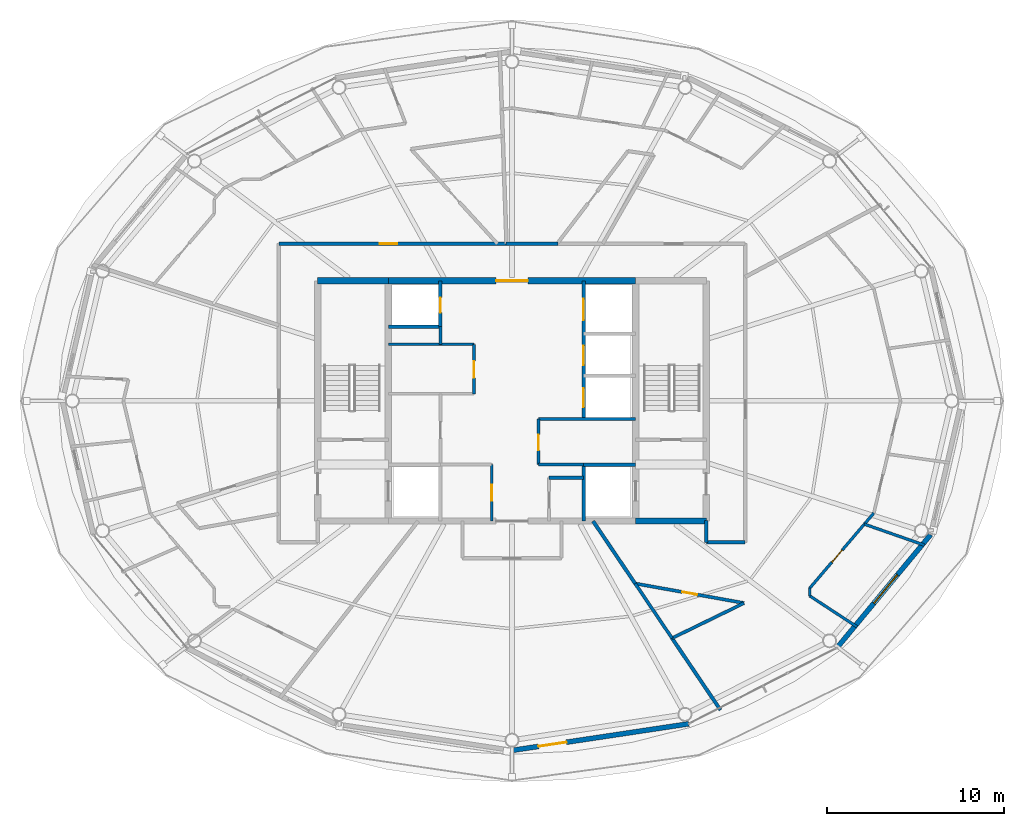
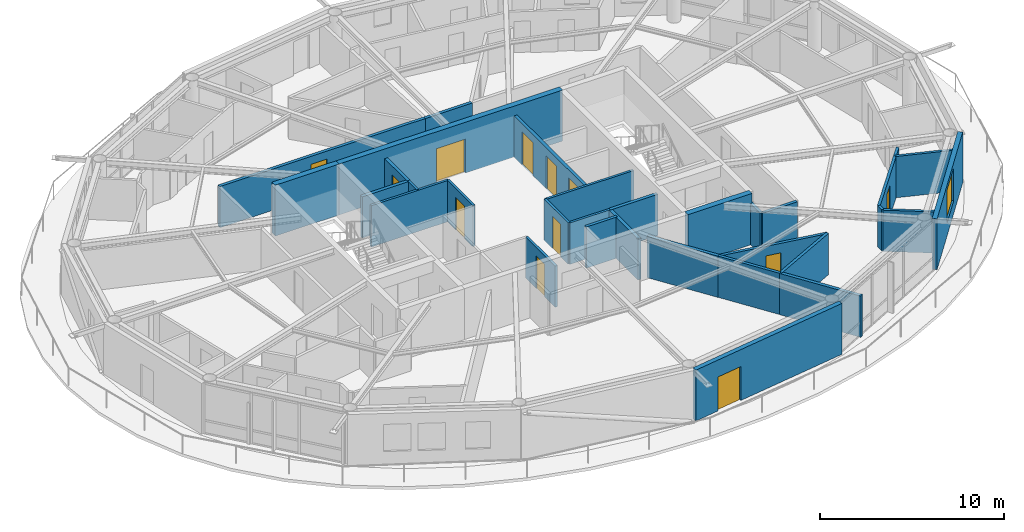
# One storey, part 17 of 22: 31 walls, 12 doors, 1 window, 13 openings.
"""IFC4 building model written with IfcOpenShell, lengths in metres."""

from ifc_helpers import new_model, si_unit, direction, frame, frame_2d, origin, place, context, subcontext, project, spatial, rectangle, extrude, material, layer, layer_set, type_object, element, fill, save


model = new_model("IFC4")

# Units and contexts
model_context = context("Model", 3, precision=1e-05, world=origin(), true_north=direction((0.0, 1.0)))
body_context = subcontext(model_context, "Body", "Model", "MODEL_VIEW")
ifc_project = project(units=[si_unit("LENGTHUNIT", "METRE"), si_unit("AREAUNIT", "SQUARE_METRE"), si_unit("VOLUMEUNIT", "CUBIC_METRE"), si_unit("PLANEANGLEUNIT", "RADIAN"), si_unit("MASSUNIT", "GRAM", prefix="KILO")], contexts=[model_context])

# Site, building, storey
site_placement = place(None, origin())
site = spatial("IfcSite", under=ifc_project, at=site_placement, CompositionType="ELEMENT")
building_placement = place(site_placement, origin())
building = spatial("IfcBuilding", under=site, at=building_placement, Name="Sarneth Arch Tower", CompositionType="ELEMENT")
storey_placement = place(building_placement, frame((0.0, 0.0, 283.800048828125)))
storey = spatial("IfcBuildingStorey", under=building, at=storey_placement, Name="L73", CompositionType="ELEMENT", Elevation=283.800048828125)

# Walls
ifc_material_1 = material(Name="Concrete C50/60", Category="concrete")
ifc_layer_1 = layer(ifc_material_1, 0.35009765625)
ifc_layer_set_1 = layer_set([ifc_layer_1], Name="Concrete C50/60")
wall_type_1 = type_object("IfcWallType", Name="WALL-CORE-350", PredefinedType="SHEAR", material=ifc_layer_set_1)
for number, where, z_axis, x_axis, name in (
    (1, (55.0, 35.199951171875, 0.0), (0.0, 0.0, 1.0), (1.0, 0.0, 0.0), "L73 Core shear wall S-E"),
    (2, (37.0, 48.800048828125, 0.0), (0.0, 0.0, 1.0), (1.0, 0.0, 0.0), "L73 Core shear wall N-W"),
):
    element("IfcWall", number, at=place(storey_placement, frame(where, z_axis=z_axis, x_axis=x_axis)), inside=storey, type_object=wall_type_1, Name=name, PredefinedType="SHEAR", context=body_context, shape_type="SweptSolid", body=[
        extrude(rectangle(XDim=4.0, YDim=0.35009765625, at=frame_2d((2.0, 0.0))), origin(), (0.0, 0.0, 1.0), 3.369873046875),
    ])

# Wall, opening, door
wall_1_placement = place(storey_placement, frame((41.0, 48.800048828125, 0.0), z_axis=(0.0, 0.0, 1.0), x_axis=(1.0, 0.0, 0.0)))
wall_1 = element("IfcWall", 3, at=wall_1_placement, inside=storey, type_object=wall_type_1, Name="L73 Core shear wall N-M", PredefinedType="SHEAR", context=body_context, shape_type="SweptSolid", body=[
    extrude(rectangle(XDim=14.0, YDim=0.35009765625, at=frame_2d((7.0, 0.0))), origin(), (0.0, 0.0, 1.0), 3.369873046875),
])
opening_1_placement = place(wall_1_placement, frame((6.10009765625, 0.0, 0.0)))
opening_1 = element("IfcOpeningElement", 4, at=opening_1_placement, cuts=wall_1, Name="Opening FD-01", PredefinedType="OPENING", context=body_context, shape_type="SweptSolid", body=[
    extrude(rectangle(XDim=1.800048828125, YDim=2.25, at=frame_2d((0.89990234375, 1.125))), frame((0.0, 0.18505859375, 0.0), z_axis=(0.0, -1.0, 0.0), x_axis=(1.0, 0.0, 0.0)), (0.0, 0.0, 1.0), 0.3701171875),
])
ifc_material_2 = material(Name="Galvanised Steel S275 fire door set", Category="steel")
door_type_1 = type_object("IfcDoorType", Name="DR-FD90-1800", OperationType="DOUBLE_DOOR_SINGLE_SWING", PredefinedType="DOOR", material=ifc_material_2)
door_1_placement = place(opening_1_placement, origin())
door_1 = element("IfcDoor", 5, at=door_1_placement, inside=storey, type_object=door_type_1, Name="L73 Central lift lobby north door", OperationType="DOUBLE_DOOR_SINGLE_SWING", OverallHeight=2.25, OverallWidth=1.800048828125, PredefinedType="DOOR", context=body_context, shape_type="SweptSolid", body=[
    extrude(rectangle(XDim=1.800048828125, YDim=2.25, at=frame_2d((0.89990234375, 1.125))), frame((0.0, 0.02490234375, 0.0), z_axis=(0.0, -1.0, 0.0), x_axis=(1.0, 0.0, 0.0)), (0.0, 0.0, 1.0), 0.050048828125),
])
fill(opening_1, door_1)

ifc_material_3 = material(Name="Double steel-stud corridor fire wall", Category="steel")
ifc_layer_2 = layer(ifc_material_3, 0.18994140625)
ifc_layer_set_2 = layer_set([ifc_layer_2], Name="Double steel-stud corridor fire wall")
wall_type_2 = type_object("IfcWallType", Name="WALL-CORR-190", PredefinedType="PARTITIONING", material=ifc_layer_set_2)
wall_2_placement = place(storey_placement, frame((34.800048828125, 50.89990234375, 0.0), z_axis=(0.0, 0.0, 1.0), x_axis=(1.0, 0.0, 0.0)))
wall_2 = element("IfcWall", 6, at=wall_2_placement, inside=storey, type_object=wall_type_2, Name="L73 Interior partition W-L73-TP-006", PredefinedType="PARTITIONING", context=body_context, shape_type="SweptSolid", body=[
    extrude(rectangle(XDim=12.921142578125, YDim=0.18994140625, at=frame_2d((6.46044921875, 0.0))), origin(), (0.0, 0.0, 1.0), 2.72998046875),
])
opening_2_placement = place(wall_2_placement, frame((5.706787109375, 0.0, 0.0)))
opening_2 = element("IfcOpeningElement", 7, at=opening_2_placement, cuts=wall_2, Name="Opening FD-08", PredefinedType="OPENING", context=body_context, shape_type="SweptSolid", body=[
    extrude(rectangle(XDim=1.0, YDim=2.199951171875, at=frame_2d((0.5, 1.10009765625))), frame((0.0, 0.10498046875, 0.0), z_axis=(0.0, -1.0, 0.0), x_axis=(1.0, 0.0, 0.0)), (0.0, 0.0, 1.0), 0.2099609375),
])
ifc_material_4 = material(Name="Hardwood timber acoustic fire door", Category="wood")
door_type_2 = type_object("IfcDoorType", Name="DR-FD60-1000", OperationType="SINGLE_SWING_LEFT", PredefinedType="DOOR", material=ifc_material_4)
door_2_placement = place(opening_2_placement, origin())
door_2 = element("IfcDoor", 8, at=door_2_placement, inside=storey, type_object=door_type_2, Name="L73 Interior door DR-L73-U2-ENT", OperationType="SINGLE_SWING_LEFT", OverallHeight=2.199951171875, OverallWidth=1.0, PredefinedType="DOOR", context=body_context, shape_type="SweptSolid", body=[
    extrude(rectangle(XDim=1.0, YDim=2.199951171875, at=frame_2d((0.5, 1.10009765625))), frame((0.0, 0.02490234375, 0.0), z_axis=(0.0, -1.0, 0.0), x_axis=(1.0, 0.0, 0.0)), (0.0, 0.0, 1.0), 0.050048828125),
])
fill(opening_2, door_2)

# Walls
wall_3_placement = place(storey_placement, frame((47.6572265625, 50.89990234375, 0.0), z_axis=(0.0, 0.0, 1.0), x_axis=(1.0, 0.0, 0.0)))
element("IfcWall", 9, at=wall_3_placement, inside=storey, type_object=wall_type_2, Name="L73 Interior partition W-L73-TP-001", PredefinedType="PARTITIONING", context=body_context, shape_type="SweptSolid", body=[
    extrude(rectangle(XDim=2.938720703125, YDim=0.18994140625, at=frame_2d((1.46923828125, 0.0))), origin(), (0.0, 0.0, 1.0), 2.72998046875),
])
wall_4_placement = place(storey_placement, frame((61.199951171875, 34.0, 0.0), z_axis=(0.0, 0.0, 1.0), x_axis=(-1.0, 0.0, 0.0)))
element("IfcWall", 10, at=wall_4_placement, inside=storey, type_object=wall_type_2, Name="L73 Interior partition W-L73-TP-014", PredefinedType="PARTITIONING", context=body_context, shape_type="SweptSolid", body=[
    extrude(rectangle(XDim=2.199951171875, YDim=0.18994140625, at=frame_2d((1.10009765625, 0.0))), origin(), (0.0, 0.0, 1.0), 2.72998046875),
])
wall_5_placement = place(storey_placement, frame((59.0, 34.0, 0.0), z_axis=(0.0, 0.0, 1.0), x_axis=(0.0, 1.0, 0.0)))
element("IfcWall", 11, at=wall_5_placement, inside=storey, type_object=wall_type_2, Name="L73 Interior partition W-L73-TP-015", PredefinedType="PARTITIONING", context=body_context, shape_type="SweptSolid", body=[
    extrude(rectangle(XDim=1.23193359375, YDim=0.18994140625, at=frame_2d((0.615966796875, 0.0))), origin(), (0.0, 0.0, 1.0), 2.72998046875),
])

# Wall, opening, door
ifc_material_5 = material(Name="Extruded terracotta rainscreen on Concrete C40/50 backing", Category="masonry")
ifc_layer_3 = layer(ifc_material_5, 0.280029296875)
ifc_layer_set_3 = layer_set([ifc_layer_3], Name="Extruded terracotta rainscreen on Concrete C40/50 backing")
wall_type_3 = type_object("IfcWallType", Name="WALL-EXT-TERRA-280", PredefinedType="SOLIDWALL", material=ifc_layer_set_3)
wall_6_placement = place(storey_placement, frame((48.0, 22.219970703125, 0.0), z_axis=(0.0, 0.0, 1.0), x_axis=(0.988882522213, 0.148698881169, 0.0)))
wall_6 = element("IfcWall", 12, at=wall_6_placement, inside=storey, type_object=wall_type_3, Name="L73 Terracotta perimeter wall 13", PredefinedType="SOLIDWALL", context=body_context, shape_type="SweptSolid", body=[
    extrude(rectangle(XDim=10.125244140625, YDim=0.280029296875, at=frame_2d((5.0625, 0.0))), origin(), (0.0, 0.0, 1.0), 3.369873046875),
])
opening_3_placement = place(wall_6_placement, frame((1.51611328125, 0.0, 0.0)))
opening_3 = element("IfcOpeningElement", 13, at=opening_3_placement, cuts=wall_6, Name="Opening BD-1", PredefinedType="OPENING", context=body_context, shape_type="SweptSolid", body=[
    extrude(rectangle(XDim=1.60009765625, YDim=2.25, at=frame_2d((0.800048828125, 1.125))), frame((0.0, 0.14990234375, 0.0), z_axis=(0.0, -1.0, 0.0), x_axis=(1.0, 0.0, 0.0)), (0.0, 0.0, 1.0), 0.300048828125),
])
ifc_material_6 = material(Name="Thermally broken Aluminium 6063-T6 and laminated safety glass", Category="aluminium")
door_type_3 = type_object("IfcDoorType", Name="DR-BALC-GLZ-1600", OperationType="DOUBLE_DOOR_SINGLE_SWING", PredefinedType="DOOR", material=ifc_material_6)
door_3_placement = place(opening_3_placement, origin())
door_3 = element("IfcDoor", 14, at=door_3_placement, inside=storey, type_object=door_type_3, Name="L73 Balcony glazed door 13", OperationType="DOUBLE_DOOR_SINGLE_SWING", OverallHeight=2.25, OverallWidth=1.60009765625, PredefinedType="DOOR", context=body_context, shape_type="SweptSolid", body=[
    extrude(rectangle(XDim=1.60009765625, YDim=2.25, at=frame_2d((0.800048828125, 1.125))), frame((0.0, 0.02490234375, 0.0), z_axis=(0.0, -1.0, 0.0), x_axis=(1.0, 0.0, 0.0)), (0.0, 0.0, 1.0), 0.050048828125),
])
fill(opening_3, door_3)

# Wall, opening, window
wall_7_placement = place(storey_placement, frame((66.382568359375, 28.013427734375, 0.0), z_axis=(0.0, 0.0, 1.0), x_axis=(0.63761509934, 0.770355103243, 0.0)))
wall_7 = element("IfcWall", 15, at=wall_7_placement, inside=storey, type_object=wall_type_3, Name="L73 Terracotta perimeter wall 15", PredefinedType="SOLIDWALL", context=body_context, shape_type="SweptSolid", body=[
    extrude(rectangle(XDim=8.329833984375, YDim=0.280029296875, at=frame_2d((4.1650390625, 0.0))), origin(), (0.0, 0.0, 1.0), 3.369873046875),
])
opening_4_placement = place(wall_7_placement, frame((3.285888671875, 0.0, 0.85009765625)))
opening_4 = element("IfcOpeningElement", 16, at=opening_4_placement, cuts=wall_7, Name="Opening W-03", PredefinedType="OPENING", context=body_context, shape_type="SweptSolid", body=[
    extrude(rectangle(XDim=2.10009765625, YDim=2.199951171875, at=frame_2d((1.050048828125, 1.10009765625))), frame((0.0, 0.14990234375, 0.0), z_axis=(0.0, -1.0, 0.0), x_axis=(1.0, 0.0, 0.0)), (0.0, 0.0, 1.0), 0.300048828125),
])
ifc_material_7 = material(Name="Thermally broken Aluminium 6063-T6 and low-e laminated IGU", Category="aluminium")
window_type = type_object("IfcWindowType", Name="WIN-TWR-2100x2200", PartitioningType="DOUBLE_PANEL_VERTICAL", PredefinedType="WINDOW", material=ifc_material_7)
window_placement = place(opening_4_placement, origin())
window = element("IfcWindow", 17, at=window_placement, inside=storey, type_object=window_type, Name="L73 Exterior window 15A", OverallHeight=2.199951171875, OverallWidth=2.10009765625, PartitioningType="SINGLE_PANEL", PredefinedType="WINDOW", context=body_context, shape_type="SweptSolid", body=[
    extrude(rectangle(XDim=2.10009765625, YDim=2.199951171875, at=frame_2d((1.050048828125, 1.10009765625))), frame((0.0, 0.030029296875, 0.0), z_axis=(0.0, -1.0, 0.0), x_axis=(1.0, 0.0, 0.0)), (0.0, 0.0, 1.0), 0.06005859375),
])
fill(opening_4, window)

# Walls
ifc_material_8 = material(Name="Acoustic gypsum stud partition", Category="gypsum")
ifc_layer_4 = layer(ifc_material_8, 0.14990234375)
ifc_layer_set_4 = layer_set([ifc_layer_4], Name="Acoustic gypsum stud partition")
wall_type_4 = type_object("IfcWallType", Name="WALL-PART-150", PredefinedType="PARTITIONING", material=ifc_layer_set_4)
wall_8_placement = place(storey_placement, frame((41.0, 45.199951171875, 0.0), z_axis=(0.0, 0.0, 1.0), x_axis=(1.0, 0.0, 0.0)))
element("IfcWall", 18, at=wall_8_placement, inside=storey, type_object=wall_type_4, Name="L73 Interior partition W-L73-RECPM1-N", PredefinedType="PARTITIONING", context=body_context, shape_type="SweptSolid", body=[
    extrude(rectangle(XDim=4.85009765625, YDim=0.14990234375, at=frame_2d((2.425048828125, 0.0))), origin(), (0.0, 0.0, 1.0), 2.72998046875),
])
wall_9_placement = place(storey_placement, frame((43.949951171875, 45.199951171875, 0.0), z_axis=(0.0, 0.0, 1.0), x_axis=(0.0, 1.0, 0.0)))
element("IfcWall", 19, at=wall_9_placement, inside=storey, type_object=wall_type_4, Name="L73 Interior partition W-L73-RECPM1-W2", PredefinedType="PARTITIONING", context=body_context, shape_type="SweptSolid", body=[
    extrude(rectangle(XDim=1.0, YDim=0.14990234375, at=frame_2d((0.5, 0.0))), origin(), (0.0, 0.0, 1.0), 2.72998046875),
])

# Wall, opening, door
wall_10_placement = place(storey_placement, frame((45.85009765625, 42.39990234375, 0.0), z_axis=(0.0, 0.0, 1.0), x_axis=(0.0, 1.0, 0.0)))
wall_10 = element("IfcWall", 20, at=wall_10_placement, inside=storey, type_object=wall_type_4, Name="L73 Interior partition W-L73-RECPM1-E", PredefinedType="PARTITIONING", context=body_context, shape_type="SweptSolid", body=[
    extrude(rectangle(XDim=2.800048828125, YDim=0.14990234375, at=frame_2d((1.39990234375, 0.0))), origin(), (0.0, 0.0, 1.0), 2.72998046875),
])
opening_5_placement = place(wall_10_placement, frame((0.89990234375, 0.0, 0.0)))
opening_5 = element("IfcOpeningElement", 21, at=opening_5_placement, cuts=wall_10, Name="Opening FD-09", PredefinedType="OPENING", context=body_context, shape_type="SweptSolid", body=[
    extrude(rectangle(XDim=0.949951171875, YDim=2.14990234375, at=frame_2d((0.47509765625, 1.074951171875))), frame((0.0, 0.0849609375, 0.0), z_axis=(0.0, -1.0, 0.0), x_axis=(1.0, 0.0, 0.0)), (0.0, 0.0, 1.0), 0.169921875),
])
ifc_material_9 = material(Name="Hardwood timber hotel entrance fire door", Category="wood")
door_type_4 = type_object("IfcDoorType", Name="DR-FD60-950", OperationType="SINGLE_SWING_RIGHT", PredefinedType="DOOR", material=ifc_material_9)
door_4_placement = place(opening_5_placement, origin())
door_4 = element("IfcDoor", 22, at=door_4_placement, inside=storey, type_object=door_type_4, Name="L73 Interior door DR-L73-RECPM1", OperationType="SINGLE_SWING_RIGHT", OverallHeight=2.14990234375, OverallWidth=0.949951171875, PredefinedType="DOOR", context=body_context, shape_type="SweptSolid", body=[
    extrude(rectangle(XDim=0.949951171875, YDim=2.14990234375, at=frame_2d((0.47509765625, 1.074951171875))), frame((0.0, 0.02490234375, 0.0), z_axis=(0.0, -1.0, 0.0), x_axis=(1.0, 0.0, 0.0)), (0.0, 0.0, 1.0), 0.050048828125),
])
fill(opening_5, door_4)

# Walls
wall_11_placement = place(storey_placement, frame((49.5, 40.97998046875, 0.0), z_axis=(0.0, 0.0, 1.0), x_axis=(1.0, 0.0, 0.0)))
element("IfcWall", 23, at=wall_11_placement, inside=storey, type_object=wall_type_4, Name="L73 Interior partition W-L73-RECPM2-N", PredefinedType="PARTITIONING", context=body_context, shape_type="SweptSolid", body=[
    extrude(rectangle(XDim=5.5, YDim=0.14990234375, at=frame_2d((2.75, 0.0))), origin(), (0.0, 0.0, 1.0), 2.72998046875),
])
wall_12_placement = place(storey_placement, frame((49.5, 38.39990234375, 0.0), z_axis=(0.0, 0.0, 1.0), x_axis=(1.0, 0.0, 0.0)))
element("IfcWall", 24, at=wall_12_placement, inside=storey, type_object=wall_type_4, Name="L73 Interior partition W-L73-RECPM2-S", PredefinedType="PARTITIONING", context=body_context, shape_type="SweptSolid", body=[
    extrude(rectangle(XDim=2.550048828125, YDim=0.14990234375, at=frame_2d((1.27490234375, 0.0))), origin(), (0.0, 0.0, 1.0), 2.72998046875),
])

# Wall, opening, door
wall_13_placement = place(storey_placement, frame((49.5, 38.39990234375, 0.0), z_axis=(0.0, 0.0, 1.0), x_axis=(0.0, 1.0, 0.0)))
wall_13 = element("IfcWall", 25, at=wall_13_placement, inside=storey, type_object=wall_type_4, Name="L73 Interior partition W-L73-RECPM2-W", PredefinedType="PARTITIONING", context=body_context, shape_type="SweptSolid", body=[
    extrude(rectangle(XDim=2.580078125, YDim=0.14990234375, at=frame_2d((1.2900390625, 0.0))), origin(), (0.0, 0.0, 1.0), 2.72998046875),
])
opening_6_placement = place(wall_13_placement, frame((0.800048828125, 0.0, 0.0)))
opening_6 = element("IfcOpeningElement", 26, at=opening_6_placement, cuts=wall_13, Name="Opening FD-10", PredefinedType="OPENING", context=body_context, shape_type="SweptSolid", body=[
    extrude(rectangle(XDim=0.89990234375, YDim=2.14990234375, at=frame_2d((0.449951171875, 1.074951171875))), frame((0.0, 0.0849609375, 0.0), z_axis=(0.0, -1.0, 0.0), x_axis=(1.0, 0.0, 0.0)), (0.0, 0.0, 1.0), 0.169921875),
])
ifc_material_10 = material(Name="Galvanised Steel S275 riser/service fire door", Category="steel")
door_type_5 = type_object("IfcDoorType", Name="DR-FD60-900", OperationType="SINGLE_SWING_LEFT", PredefinedType="DOOR", material=ifc_material_10)
door_5_placement = place(opening_6_placement, origin())
door_5 = element("IfcDoor", 27, at=door_5_placement, inside=storey, type_object=door_type_5, Name="L73 Interior door DR-L73-RECPM2", OperationType="SINGLE_SWING_LEFT", OverallHeight=2.14990234375, OverallWidth=0.89990234375, PredefinedType="DOOR", context=body_context, shape_type="SweptSolid", body=[
    extrude(rectangle(XDim=0.89990234375, YDim=2.14990234375, at=frame_2d((0.449951171875, 1.074951171875))), frame((0.0, 0.02490234375, 0.0), z_axis=(0.0, -1.0, 0.0), x_axis=(1.0, 0.0, 0.0)), (0.0, 0.0, 1.0), 0.050048828125),
])
fill(opening_6, door_5)

wall_14_placement = place(storey_placement, frame((46.85009765625, 35.199951171875, 0.0), z_axis=(0.0, 0.0, 1.0), x_axis=(0.0, 1.0, 0.0)))
wall_14 = element("IfcWall", 28, at=wall_14_placement, inside=storey, type_object=wall_type_4, Name="L73 Interior partition W-L73-CSUP1-E", PredefinedType="PARTITIONING", context=body_context, shape_type="SweptSolid", body=[
    extrude(rectangle(XDim=3.199951171875, YDim=0.14990234375, at=frame_2d((1.60009765625, 0.0))), origin(), (0.0, 0.0, 1.0), 2.72998046875),
])
opening_7_placement = place(wall_14_placement, frame((1.14990234375, 0.0, 0.0)))
opening_7 = element("IfcOpeningElement", 29, at=opening_7_placement, cuts=wall_14, Name="Opening FD-10", PredefinedType="OPENING", context=body_context, shape_type="SweptSolid", body=[
    extrude(rectangle(XDim=0.89990234375, YDim=2.14990234375, at=frame_2d((0.449951171875, 1.074951171875))), frame((0.0, 0.0849609375, 0.0), z_axis=(0.0, -1.0, 0.0), x_axis=(1.0, 0.0, 0.0)), (0.0, 0.0, 1.0), 0.169921875),
])
door_6_placement = place(opening_7_placement, origin())
door_6 = element("IfcDoor", 30, at=door_6_placement, inside=storey, type_object=door_type_5, Name="L73 Interior door DR-L73-CSUP1", OperationType="SINGLE_SWING_LEFT", OverallHeight=2.14990234375, OverallWidth=0.89990234375, PredefinedType="DOOR", context=body_context, shape_type="SweptSolid", body=[
    extrude(rectangle(XDim=0.89990234375, YDim=2.14990234375, at=frame_2d((0.449951171875, 1.074951171875))), frame((0.0, 0.02490234375, 0.0), z_axis=(0.0, -1.0, 0.0), x_axis=(1.0, 0.0, 0.0)), (0.0, 0.0, 1.0), 0.050048828125),
])
fill(opening_7, door_6)

ifc_material_11 = material(Name="Kitchen wet service chase wall", Category="gypsum")
ifc_layer_5 = layer(ifc_material_11, 0.159912109375)
ifc_layer_set_5 = layer_set([ifc_layer_5], Name="Kitchen wet service chase wall")
wall_type_5 = type_object("IfcWallType", Name="WALL-PLUMB-160", PredefinedType="PLUMBINGWALL", material=ifc_layer_set_5)
wall_15_placement = place(storey_placement, frame((64.85009765625, 31.401123046875, 0.0), z_axis=(0.0, 0.0, 1.0), x_axis=(0.649208179997, 0.760610767097, 0.0)))
wall_15 = element("IfcWall", 31, at=wall_15_placement, inside=storey, type_object=wall_type_5, Name="L73 Interior partition W-L73-TP-080", PredefinedType="PLUMBINGWALL", context=body_context, shape_type="SweptSolid", body=[
    extrude(rectangle(XDim=5.5927734375, YDim=0.159912109375, at=frame_2d((2.79638671875, 0.0))), origin(), (0.0, 0.0, 1.0), 2.72998046875),
])
opening_8_placement = place(wall_15_placement, frame((1.933349609375, 0.0, 0.0)))
opening_8 = element("IfcOpeningElement", 32, at=opening_8_placement, cuts=wall_15, Name="Opening ID-01", PredefinedType="OPENING", context=body_context, shape_type="SweptSolid", body=[
    extrude(rectangle(XDim=0.89990234375, YDim=2.10009765625, at=frame_2d((0.449951171875, 1.050048828125))), frame((0.0, 0.08984375, 0.0), z_axis=(0.0, -1.0, 0.0), x_axis=(1.0, 0.0, 0.0)), (0.0, 0.0, 1.0), 0.179931640625),
])
ifc_material_12 = material(Name="Engineered hardwood flush door", Category="wood")
door_type_6 = type_object("IfcDoorType", Name="DR-INT-900", OperationType="SINGLE_SWING_LEFT", PredefinedType="DOOR", material=ifc_material_12)
door_7_placement = place(opening_8_placement, origin())
door_7 = element("IfcDoor", 33, at=door_7_placement, inside=storey, type_object=door_type_6, Name="L73 Interior door DR-L73-U5-KIT", OperationType="SINGLE_SWING_RIGHT", OverallHeight=2.10009765625, OverallWidth=0.89990234375, PredefinedType="DOOR", context=body_context, shape_type="SweptSolid", body=[
    extrude(rectangle(XDim=0.89990234375, YDim=2.10009765625, at=frame_2d((0.449951171875, 1.050048828125))), frame((0.0, 0.02490234375, 0.0), z_axis=(0.0, -1.0, 0.0), x_axis=(1.0, 0.0, 0.0)), (0.0, 0.0, 1.0), 0.050048828125),
])
fill(opening_8, door_7)

# Walls
wall_16_placement = place(storey_placement, frame((71.348388671875, 33.836669921875, 0.0), z_axis=(0.0, 0.0, 1.0), x_axis=(-0.943978629209, 0.330006587202, 0.0)))
element("IfcWall", 34, at=wall_16_placement, inside=storey, type_object=wall_type_5, Name="L73 Interior partition W-L73-TP-089", PredefinedType="PLUMBINGWALL", context=body_context, shape_type="SweptSolid", body=[
    extrude(rectangle(XDim=3.605712890625, YDim=0.159912109375, at=frame_2d((1.802734375, 0.0))), origin(), (0.0, 0.0, 1.0), 2.72998046875),
])
wall_17_placement = place(storey_placement, frame((67.530029296875, 29.212890625, 0.0), z_axis=(0.0, 0.0, 1.0), x_axis=(-0.836629755679, 0.547768794212, 0.0)))
element("IfcWall", 35, at=wall_17_placement, inside=storey, type_object=wall_type_5, Name="L73 Interior partition W-L73-TP-078", PredefinedType="PLUMBINGWALL", context=body_context, shape_type="SweptSolid", body=[
    extrude(rectangle(XDim=3.203125, YDim=0.159912109375, at=frame_2d((1.6015625, 0.0))), origin(), (0.0, 0.0, 1.0), 2.72998046875),
])
wall_18_placement = place(storey_placement, frame((64.85009765625, 30.967529296875, 0.0), z_axis=(0.0, 0.0, 1.0), x_axis=(0.0, 1.0, 0.0)))
element("IfcWall", 36, at=wall_18_placement, inside=storey, type_object=wall_type_5, Name="L73 Interior partition W-L73-TP-079", PredefinedType="PLUMBINGWALL", context=body_context, shape_type="SweptSolid", body=[
    extrude(rectangle(XDim=0.43359375, YDim=0.159912109375, at=frame_2d((0.216796875, 0.0))), origin(), (0.0, 0.0, 1.0), 2.72998046875),
])
ifc_material_13 = material(Name="Moisture-resistant plumbing chase wall", Category="gypsum")
ifc_layer_6 = layer(ifc_material_13, 0.179931640625)
ifc_layer_set_6 = layer_set([ifc_layer_6], Name="Moisture-resistant plumbing chase wall")
wall_type_6 = type_object("IfcWallType", Name="WALL-PLUMB-180", PredefinedType="PLUMBINGWALL", material=ifc_layer_set_6)
wall_19_placement = place(storey_placement, frame((50.10009765625, 37.64990234375, 0.0), z_axis=(0.0, 0.0, 1.0), x_axis=(1.0, 0.0, 0.0)))
element("IfcWall", 37, at=wall_19_placement, inside=storey, type_object=wall_type_6, Name="L73 Interior partition W-L73-AWC-N", PredefinedType="PLUMBINGWALL", context=body_context, shape_type="SweptSolid", body=[
    extrude(rectangle(XDim=1.949951171875, YDim=0.179931640625, at=frame_2d((0.97509765625, 0.0))), origin(), (0.0, 0.0, 1.0), 2.72998046875),
])

# Wall, opening, door
wall_20_placement = place(storey_placement, frame((54.9697265625, 31.6669921875, 0.0), z_axis=(0.0, 0.0, 1.0), x_axis=(0.98424617738, -0.176803456736, 0.0)))
wall_20 = element("IfcWall", 38, at=wall_20_placement, inside=storey, type_object=wall_type_6, Name="L73 Interior partition W-L73-TP-081", PredefinedType="PLUMBINGWALL", context=body_context, shape_type="SweptSolid", body=[
    extrude(rectangle(XDim=6.264892578125, YDim=0.179931640625, at=frame_2d((3.13232421875, 0.0))), origin(), (0.0, 0.0, 1.0), 2.72998046875),
])
opening_9_placement = place(wall_20_placement, frame((2.70751953125, 0.0, 0.0)))
opening_9 = element("IfcOpeningElement", 39, at=opening_9_placement, cuts=wall_20, Name="Opening ID-02", PredefinedType="OPENING", context=body_context, shape_type="SweptSolid", body=[
    extrude(rectangle(XDim=0.85009765625, YDim=2.10009765625, at=frame_2d((0.425048828125, 1.050048828125))), frame((0.0, 0.099853515625, 0.0), z_axis=(0.0, -1.0, 0.0), x_axis=(1.0, 0.0, 0.0)), (0.0, 0.0, 1.0), 0.199951171875),
])
ifc_material_14 = material(Name="Moisture-resistant bathroom timber door", Category="wood")
door_type_7 = type_object("IfcDoorType", Name="DR-INT-850", OperationType="SINGLE_SWING_RIGHT", PredefinedType="DOOR", material=ifc_material_14)
door_8_placement = place(opening_9_placement, origin())
door_8 = element("IfcDoor", 40, at=door_8_placement, inside=storey, type_object=door_type_7, Name="L73 Interior door DR-L73-U5-BATH", OperationType="SINGLE_SWING_LEFT", OverallHeight=2.10009765625, OverallWidth=0.85009765625, PredefinedType="DOOR", context=body_context, shape_type="SweptSolid", body=[
    extrude(rectangle(XDim=0.85009765625, YDim=2.10009765625, at=frame_2d((0.425048828125, 1.050048828125))), frame((0.0, 0.02490234375, 0.0), z_axis=(0.0, -1.0, 0.0), x_axis=(1.0, 0.0, 0.0)), (0.0, 0.0, 1.0), 0.050048828125),
])
fill(opening_9, door_8)

# Walls
wall_21_placement = place(storey_placement, frame((61.135986328125, 30.559326171875, 0.0), z_axis=(0.0, 0.0, 1.0), x_axis=(-0.898933361371, -0.438085393291, 0.0)))
element("IfcWall", 41, at=wall_21_placement, inside=storey, type_object=wall_type_6, Name="L73 Interior partition W-L73-TP-082", PredefinedType="PLUMBINGWALL", context=body_context, shape_type="SweptSolid", body=[
    extrude(rectangle(XDim=4.536865234375, YDim=0.179931640625, at=frame_2d((2.2685546875, 0.0))), origin(), (0.0, 0.0, 1.0), 2.72998046875),
])
wall_22_placement = place(storey_placement, frame((57.0576171875, 28.57177734375, 0.0), z_axis=(0.0, 0.0, 1.0), x_axis=(-0.559219016168, 0.82901995872, 0.0)))
element("IfcWall", 42, at=wall_22_placement, inside=storey, type_object=wall_type_6, Name="L73 Interior partition W-L73-TP-077", PredefinedType="PLUMBINGWALL", context=body_context, shape_type="SweptSolid", body=[
    extrude(rectangle(XDim=3.733642578125, YDim=0.179931640625, at=frame_2d((1.86669921875, 0.0))), origin(), (0.0, 0.0, 1.0), 2.72998046875),
])
ifc_material_15 = material(Name="Aerated concrete blockwork C25/30", Category="masonry")
ifc_layer_7 = layer(ifc_material_15, 0.199951171875)
ifc_layer_set_7 = layer_set([ifc_layer_7], Name="Aerated concrete blockwork C25/30")
wall_type_7 = type_object("IfcWallType", Name="WALL-SHAFT-200", PredefinedType="SOLIDWALL", material=ifc_layer_set_7)
wall_23_placement = place(storey_placement, frame((52.050048828125, 35.199951171875, 0.0), z_axis=(0.0, 0.0, 1.0), x_axis=(0.0, 1.0, 0.0)))
element("IfcWall", 43, at=wall_23_placement, inside=storey, type_object=wall_type_7, Name="L73 Interior partition W-L73-FL2-W", PredefinedType="SOLIDWALL", context=body_context, shape_type="SweptSolid", body=[
    extrude(rectangle(XDim=3.199951171875, YDim=0.199951171875, at=frame_2d((1.60009765625, 0.0))), origin(), (0.0, 0.0, 1.0), 2.72998046875),
])
for number, where, z_axis, x_axis, name in (
    (44, (52.050048828125, 38.39990234375, 0.0), (0.0, 0.0, 1.0), (1.0, 0.0, 0.0), "L73 Interior partition W-L73-FL2-N"),
    (45, (41.0, 46.199951171875, 0.0), (0.0, 0.0, 1.0), (1.0, 0.0, 0.0), "L73 Interior partition W-L73-RISER-S"),
):
    element("IfcWall", number, at=place(storey_placement, frame(where, z_axis=z_axis, x_axis=x_axis)), inside=storey, type_object=wall_type_7, Name=name, PredefinedType="SOLIDWALL", context=body_context, shape_type="SweptSolid", body=[
        extrude(rectangle(XDim=2.949951171875, YDim=0.199951171875, at=frame_2d((1.47509765625, 0.0))), origin(), (0.0, 0.0, 1.0), 2.72998046875),
    ])

# Wall, opening, door
wall_24_placement = place(storey_placement, frame((43.949951171875, 46.199951171875, 0.0), z_axis=(0.0, 0.0, 1.0), x_axis=(0.0, 1.0, 0.0)))
wall_24 = element("IfcWall", 46, at=wall_24_placement, inside=storey, type_object=wall_type_7, Name="L73 Interior partition W-L73-RISER-E", PredefinedType="SOLIDWALL", context=body_context, shape_type="SweptSolid", body=[
    extrude(rectangle(XDim=2.60009765625, YDim=0.199951171875, at=frame_2d((1.300048828125, 0.0))), origin(), (0.0, 0.0, 1.0), 2.72998046875),
])
opening_10_placement = place(wall_24_placement, frame((0.800048828125, 0.0, 0.0)))
opening_10 = element("IfcOpeningElement", 47, at=opening_10_placement, cuts=wall_24, Name="Opening FD-11", PredefinedType="OPENING", context=body_context, shape_type="SweptSolid", body=[
    extrude(rectangle(XDim=0.85009765625, YDim=2.14990234375, at=frame_2d((0.425048828125, 1.074951171875))), frame((0.0, 0.10986328125, 0.0), z_axis=(0.0, -1.0, 0.0), x_axis=(1.0, 0.0, 0.0)), (0.0, 0.0, 1.0), 0.219970703125),
])
ifc_material_16 = material(Name="Galvanised Steel S275 closet fire door", Category="steel")
door_type_8 = type_object("IfcDoorType", Name="DR-FD60-850", OperationType="SINGLE_SWING_LEFT", PredefinedType="DOOR", material=ifc_material_16)
door_9_placement = place(opening_10_placement, origin())
door_9 = element("IfcDoor", 48, at=door_9_placement, inside=storey, type_object=door_type_8, Name="L73 Lift landing door DR-L73-RISER", OperationType="SINGLE_SWING_LEFT", OverallHeight=2.14990234375, OverallWidth=0.85009765625, PredefinedType="DOOR", context=body_context, shape_type="SweptSolid", body=[
    extrude(rectangle(XDim=0.85009765625, YDim=2.14990234375, at=frame_2d((0.425048828125, 1.074951171875))), frame((0.0, 0.02490234375, 0.0), z_axis=(0.0, -1.0, 0.0), x_axis=(1.0, 0.0, 0.0)), (0.0, 0.0, 1.0), 0.050048828125),
])
fill(opening_10, door_9)

# Wall, openings, doors
wall_25_placement = place(storey_placement, frame((52.050048828125, 40.97998046875, 0.0), z_axis=(0.0, 0.0, 1.0), x_axis=(0.0, 1.0, 0.0)))
wall_25 = element("IfcWall", 49, at=wall_25_placement, inside=storey, type_object=wall_type_7, Name="L73 Interior partition W-L73-EASTBANK-UPPER", PredefinedType="SOLIDWALL", context=body_context, shape_type="SweptSolid", body=[
    extrude(rectangle(XDim=7.820068359375, YDim=0.199951171875, at=frame_2d((3.91015625, 0.0))), origin(), (0.0, 0.0, 1.0), 2.72998046875),
])
opening_11_placement = place(wall_25_placement, frame((0.64990234375, 0.0, 0.0)))
opening_11 = element("IfcOpeningElement", 50, at=opening_11_placement, cuts=wall_25, Name="Opening LD-1", PredefinedType="OPENING", context=body_context, shape_type="SweptSolid", body=[
    extrude(rectangle(XDim=1.10009765625, YDim=2.199951171875, at=frame_2d((0.550048828125, 1.10009765625))), frame((0.0, 0.10986328125, 0.0), z_axis=(0.0, -1.0, 0.0), x_axis=(1.0, 0.0, 0.0)), (0.0, 0.0, 1.0), 0.219970703125),
])
opening_12_placement = place(wall_25_placement, frame((3.050048828125, 0.0, 0.0)))
opening_12 = element("IfcOpeningElement", 51, at=opening_12_placement, cuts=wall_25, Name="Opening LD-1", PredefinedType="OPENING", context=body_context, shape_type="SweptSolid", body=[
    extrude(rectangle(XDim=1.10009765625, YDim=2.199951171875, at=frame_2d((0.550048828125, 1.10009765625))), frame((0.0, 0.10986328125, 0.0), z_axis=(0.0, -1.0, 0.0), x_axis=(1.0, 0.0, 0.0)), (0.0, 0.0, 1.0), 0.219970703125),
])
opening_13_placement = place(wall_25_placement, frame((5.60009765625, 0.0, 0.0)))
opening_13 = element("IfcOpeningElement", 52, at=opening_13_placement, cuts=wall_25, Name="Opening LD-2", PredefinedType="OPENING", context=body_context, shape_type="SweptSolid", body=[
    extrude(rectangle(XDim=1.199951171875, YDim=2.199951171875, at=frame_2d((0.60009765625, 1.10009765625))), frame((0.0, 0.10986328125, 0.0), z_axis=(0.0, -1.0, 0.0), x_axis=(1.0, 0.0, 0.0)), (0.0, 0.0, 1.0), 0.219970703125),
])
ifc_material_17 = material(Name="Brushed Stainless Steel 304 lift landing door", Category="steel")
door_type_9 = type_object("IfcDoorType", Name="DR-LIFT-SLIDE-1100", OperationType="SLIDING_TO_LEFT", PredefinedType="DOOR", material=ifc_material_17)
door_10_placement = place(opening_11_placement, origin())
door_10 = element("IfcDoor", 53, at=door_10_placement, inside=storey, type_object=door_type_9, Name="L73 Lift landing door DR-L73-LD-PH1", OperationType="SLIDING_TO_RIGHT", OverallHeight=2.199951171875, OverallWidth=1.10009765625, PredefinedType="DOOR", context=body_context, shape_type="SweptSolid", body=[
    extrude(rectangle(XDim=1.10009765625, YDim=2.199951171875, at=frame_2d((0.550048828125, 1.10009765625))), frame((0.0, 0.02490234375, 0.0), z_axis=(0.0, -1.0, 0.0), x_axis=(1.0, 0.0, 0.0)), (0.0, 0.0, 1.0), 0.050048828125),
])
fill(opening_11, door_10)
door_11_placement = place(opening_12_placement, origin())
door_11 = element("IfcDoor", 54, at=door_11_placement, inside=storey, type_object=door_type_9, Name="L73 Lift landing door DR-L73-LD-PH2", OperationType="SLIDING_TO_LEFT", OverallHeight=2.199951171875, OverallWidth=1.10009765625, PredefinedType="DOOR", context=body_context, shape_type="SweptSolid", body=[
    extrude(rectangle(XDim=1.10009765625, YDim=2.199951171875, at=frame_2d((0.550048828125, 1.10009765625))), frame((0.0, 0.02490234375, 0.0), z_axis=(0.0, -1.0, 0.0), x_axis=(1.0, 0.0, 0.0)), (0.0, 0.0, 1.0), 0.050048828125),
])
fill(opening_12, door_11)
ifc_material_18 = material(Name="Brushed Stainless Steel 304 service lift door", Category="steel")
door_type_10 = type_object("IfcDoorType", Name="DR-LIFT-SLIDE-1200", OperationType="SLIDING_TO_RIGHT", PredefinedType="DOOR", material=ifc_material_18)
door_12_placement = place(opening_13_placement, origin())
door_12 = element("IfcDoor", 55, at=door_12_placement, inside=storey, type_object=door_type_10, Name="L73 Lift landing door DR-L73-LD-SL1", OperationType="SLIDING_TO_RIGHT", OverallHeight=2.199951171875, OverallWidth=1.199951171875, PredefinedType="DOOR", context=body_context, shape_type="SweptSolid", body=[
    extrude(rectangle(XDim=1.199951171875, YDim=2.199951171875, at=frame_2d((0.60009765625, 1.10009765625))), frame((0.0, 0.02490234375, 0.0), z_axis=(0.0, -1.0, 0.0), x_axis=(1.0, 0.0, 0.0)), (0.0, 0.0, 1.0), 0.050048828125),
])
fill(opening_13, door_12)

# Walls
ifc_material_19 = material(Name="Double steel-stud acoustic drywall", Category="steel")
ifc_layer_8 = layer(ifc_material_19, 0.199951171875)
ifc_layer_set_8 = layer_set([ifc_layer_8], Name="Double steel-stud acoustic drywall")
wall_type_8 = type_object("IfcWallType", Name="WALL-UNIT-200", PredefinedType="PARTITIONING", material=ifc_layer_set_8)
wall_26_placement = place(storey_placement, frame((59.79931640625, 24.507080078125, 0.0), z_axis=(0.0, 0.0, 1.0), x_axis=(-0.559196589516, 0.829035086274, 0.0)))
element("IfcWall", 56, at=wall_26_placement, inside=storey, type_object=wall_type_8, Name="L73 Interior partition W-L73-TP-076", PredefinedType="PARTITIONING", context=body_context, shape_type="SweptSolid", body=[
    extrude(rectangle(XDim=4.90283203125, YDim=0.199951171875, at=frame_2d((2.451416015625, 0.0))), origin(), (0.0, 0.0, 1.0), 2.72998046875),
])
wall_27_placement = place(storey_placement, frame((54.9697265625, 31.6669921875, 0.0), z_axis=(0.0, 0.0, 1.0), x_axis=(-0.559200276542, 0.829032599308, 0.0)))
element("IfcWall", 57, at=wall_27_placement, inside=storey, type_object=wall_type_8, Name="L73 Interior partition W-L73-TP-075", PredefinedType="PARTITIONING", context=body_context, shape_type="SweptSolid", body=[
    extrude(rectangle(XDim=4.261474609375, YDim=0.199951171875, at=frame_2d((2.130859375, 0.0))), origin(), (0.0, 0.0, 1.0), 2.72998046875),
])

save(model, "model.ifc")
